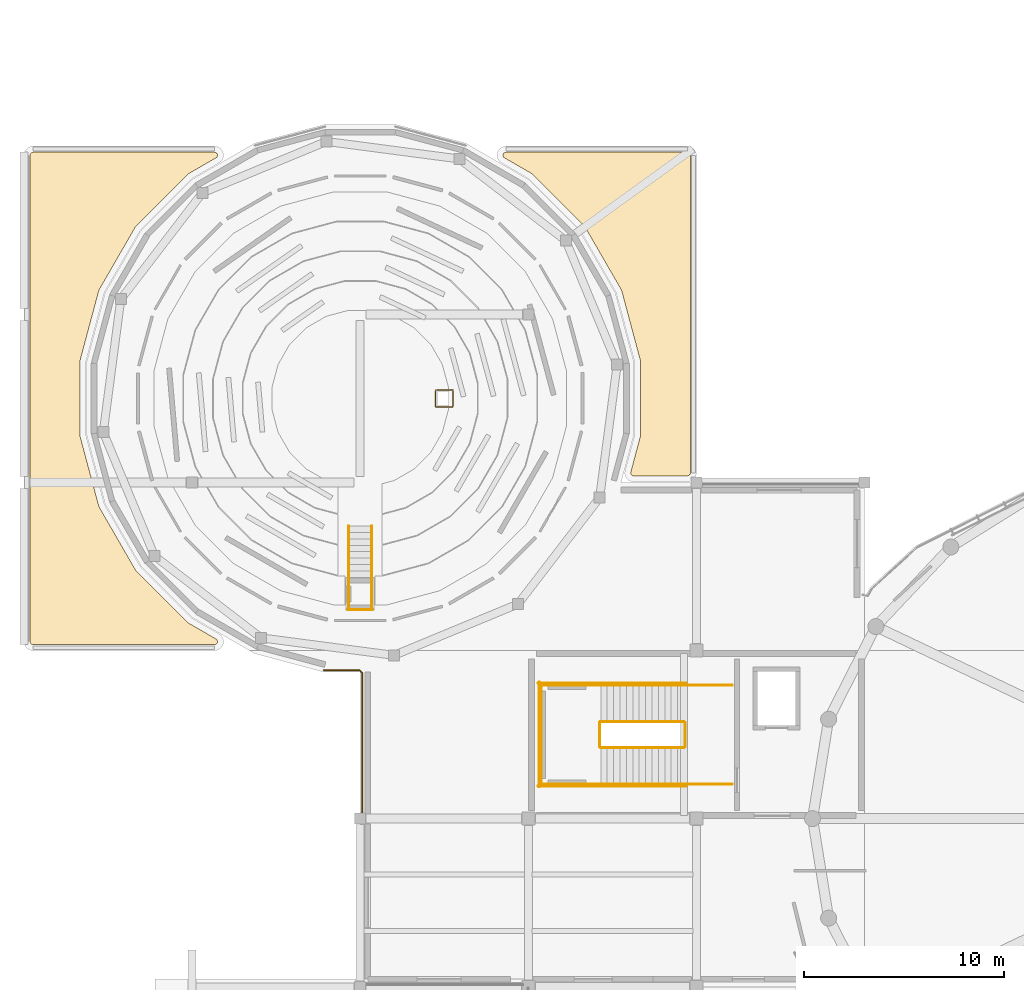
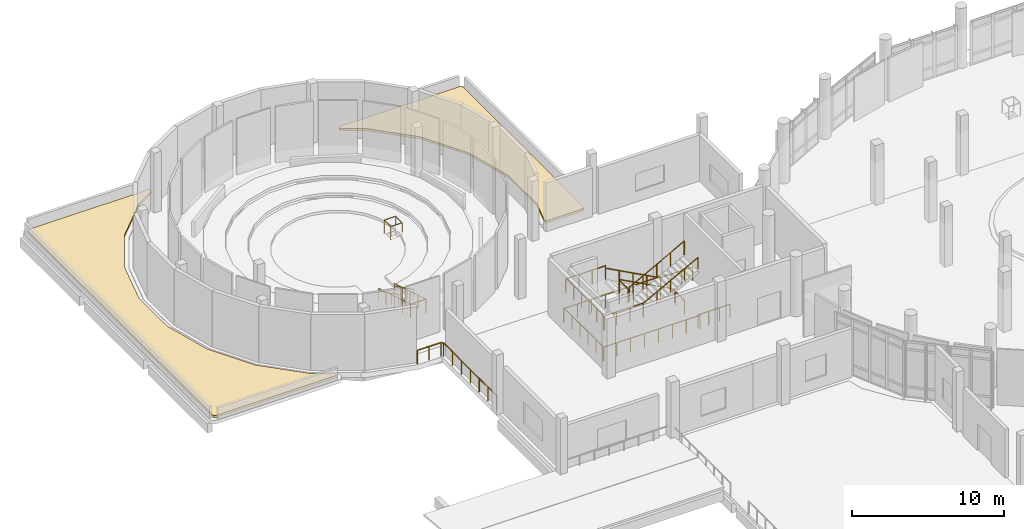
# One storey, part 55 of 63: 21 railings, 2 coverings.
"""IFC4 building model written with IfcOpenShell, lengths in metres."""

from ifc_helpers import new_model, si_unit, derived_unit, direction, frame, origin, origin_2d, place, context, subcontext, project, spatial, polyline, circle, outline, extrude, material, layer, layer_set, type_object, element, save


model = new_model("IFC4")

# Units and contexts
model_context = context("Model", 3, precision=1e-05, world=origin(), true_north=direction((0.0, 1.0)))
body_context = subcontext(model_context, "Body", "Model", "MODEL_VIEW")
ifc_project = project(units=[si_unit("LENGTHUNIT", "METRE"), si_unit("AREAUNIT", "SQUARE_METRE"), si_unit("VOLUMEUNIT", "CUBIC_METRE"), si_unit("PLANEANGLEUNIT", "RADIAN"), si_unit("MASSUNIT", "GRAM", prefix="KILO"), derived_unit("THERMALTRANSMITTANCEUNIT", [(si_unit("POWERUNIT", "WATT"), 1), (si_unit("LENGTHUNIT", "METRE"), -2), (si_unit("THERMODYNAMICTEMPERATUREUNIT", "KELVIN"), -1)])], contexts=[model_context])

# Site, building, storey
site_placement = place(None, origin())
site = spatial("IfcSite", under=ifc_project, at=site_placement, CompositionType="ELEMENT")
building_placement = place(site_placement, origin())
building = spatial("IfcBuilding", under=site, at=building_placement, Name="Elbkamm Science Centre", CompositionType="ELEMENT")
storey_placement = place(building_placement, frame((0.0, 0.0, 5.10009765625)))
storey = spatial("IfcBuildingStorey", under=building, at=storey_placement, Name="L01", CompositionType="ELEMENT", Elevation=5.10009765625)

# Coverings
ifc_material_1 = material(Name="EPDM waterproof roofing membrane and mineral wool insulation")
ifc_layer = layer(ifc_material_1, 0.179931640625)
ifc_layer_set = layer_set([ifc_layer], Name="EPDM waterproof roofing membrane and mineral wool insulation")
covering_type = type_object("IfcCoveringType", Name="COV-ROOFING-180", PredefinedType="ROOFING", material=ifc_layer_set)
covering_1_placement = place(storey_placement, origin())
element("IfcCovering", 1, at=covering_1_placement, inside=storey, type_object=covering_type, Name="L01 Insulated Roof Membrane Covering 03", PredefinedType="ROOFING", context=body_context, shape_type="SweptSolid", body=[
    extrude(outline(polyline([(33.296875, 84.45068359375), (33.293212890625, 84.43701171875), (33.2880859375, 84.422607421875), (33.281982421875, 84.4091796875), (33.2744140625, 84.396728515625), (33.265869140625, 84.385009765625), (33.255859375, 84.374267578125), (33.244873046875, 84.3642578125), (33.233154296875, 84.355712890625), (33.220703125, 84.34814453125), (33.20751953125, 84.341796875), (33.193115234375, 84.336669921875), (33.17919921875, 84.333251953125), (33.164794921875, 84.3310546875), (33.142578125, 84.330078125), (30.471923828125, 84.330078125), (30.4501953125, 84.3310546875), (30.435791015625, 84.3330078125), (30.42236328125, 84.33642578125), (30.408447265625, 84.34130859375), (30.395263671875, 84.347412109375), (30.3828125, 84.354736328125), (30.370849609375, 84.36328125), (30.360595703125, 84.37255859375), (30.3505859375, 84.38330078125), (30.341796875, 84.394775390625), (30.333984375, 84.406982421875), (30.32763671875, 84.419921875), (30.322509765625, 84.433349609375), (30.318603515625, 84.447265625), (30.316162109375, 84.46142578125), (30.315185546875, 84.475830078125), (30.3154296875, 84.490478515625), (30.317138671875, 84.5048828125), (30.321533203125, 84.52587890625), (30.526611328125, 85.289794921875), (30.799072265625, 86.307373046875), (30.800048828125, 86.310791015625), (30.805419921875, 86.334228515625), (30.805908203125, 86.3369140625), (30.807861328125, 86.347900390625), (30.808349609375, 86.3505859375), (30.8115234375, 86.384521484375), (30.811767578125, 86.38720703125), (30.81201171875, 86.398681640625), (30.81201171875, 90.001220703125), (30.811767578125, 90.0126953125), (30.8115234375, 90.015380859375), (30.808349609375, 90.049560546875), (30.807861328125, 90.052001953125), (30.805908203125, 90.063232421875), (30.805419921875, 90.06591796875), (30.801025390625, 90.085693359375), (30.799560546875, 90.091064453125), (30.79931640625, 90.092041015625), (29.8701171875, 93.55908203125), (29.869384765625, 93.5615234375), (29.8642578125, 93.580078125), (29.86328125, 93.582763671875), (29.8544921875, 93.606689453125), (29.853515625, 93.609130859375), (29.8427734375, 93.632568359375), (29.841552734375, 93.634765625), (29.834716796875, 93.647216796875), (29.832275390625, 93.6513671875), (28.969482421875, 95.145751953125), (28.03759765625, 96.759765625), (28.036376953125, 96.76220703125), (28.02734375, 96.777099609375), (28.02587890625, 96.779296875), (28.011474609375, 96.7998046875), (28.010009765625, 96.802001953125), (27.989013671875, 96.826416015625), (27.9873046875, 96.828369140625), (27.981689453125, 96.834228515625), (27.977783203125, 96.838134765625), (25.437744140625, 99.378173828125), (25.43408203125, 99.381591796875), (25.428466796875, 99.38720703125), (25.426513671875, 99.38916015625), (25.402099609375, 99.409912109375), (25.39990234375, 99.41162109375), (25.379150390625, 99.426025390625), (25.376953125, 99.427490234375), (25.363037109375, 99.435791015625), (25.359619140625, 99.4375), (24.490478515625, 99.939453125), (24.0107421875, 100.21630859375), (23.992431640625, 100.228271484375), (23.98095703125, 100.2373046875), (23.970703125, 100.247314453125), (23.961181640625, 100.25830078125), (23.95263671875, 100.270263671875), (23.94580078125, 100.282958984375), (23.939697265625, 100.296142578125), (23.935302734375, 100.3095703125), (23.93212890625, 100.323974609375), (23.93017578125, 100.338623046875), (23.9296875, 100.352783203125), (23.930908203125, 100.367431640625), (23.93310546875, 100.3818359375), (23.93701171875, 100.3955078125), (23.94189453125, 100.4091796875), (23.948486328125, 100.42236328125), (23.9560546875, 100.434814453125), (23.96484375, 100.4462890625), (23.974609375, 100.456787109375), (23.9853515625, 100.46630859375), (23.9970703125, 100.474853515625), (24.009765625, 100.482421875), (24.02294921875, 100.488525390625), (24.03662109375, 100.493408203125), (24.050537109375, 100.496826171875), (24.064697265625, 100.498779296875), (24.086669921875, 100.5), (33.142578125, 100.5), (33.164794921875, 100.498779296875), (33.17919921875, 100.496826171875), (33.193115234375, 100.493408203125), (33.20751953125, 100.488037109375), (33.220703125, 100.48193359375), (33.233154296875, 100.474365234375), (33.244873046875, 100.4658203125), (33.255859375, 100.455810546875), (33.265869140625, 100.44482421875), (33.2744140625, 100.43310546875), (33.281982421875, 100.420654296875), (33.2880859375, 100.407470703125), (33.293212890625, 100.39306640625), (33.296875, 100.379150390625), (33.298828125, 100.36474609375), (33.300048828125, 100.342529296875), (33.300048828125, 84.487548828125), (33.298828125, 84.465087890625), (33.296875, 84.45068359375)])), origin(), (0.0, 0.0, 1.0), 0.179931640625),
])
covering_2_placement = place(storey_placement, origin())
element("IfcCovering", 2, at=covering_2_placement, inside=storey, type_object=covering_type, Name="L01 Insulated Roof Membrane Covering 04", PredefinedType="ROOFING", context=body_context, shape_type="SweptSolid", body=[
    extrude(outline(polyline([(0.30322265625, 100.379150390625), (0.306640625, 100.39306640625), (0.31201171875, 100.407470703125), (0.318115234375, 100.420654296875), (0.32568359375, 100.43310546875), (0.334228515625, 100.44482421875), (0.34423828125, 100.455810546875), (0.35498046875, 100.4658203125), (0.36669921875, 100.474365234375), (0.37939453125, 100.48193359375), (0.392578125, 100.488037109375), (0.406982421875, 100.493408203125), (0.4208984375, 100.496826171875), (0.435302734375, 100.498779296875), (0.45751953125, 100.5), (9.513427734375, 100.5), (9.53515625, 100.498779296875), (9.54931640625, 100.496826171875), (9.5634765625, 100.493408203125), (9.5771484375, 100.488525390625), (9.590087890625, 100.482421875), (9.60302734375, 100.474853515625), (9.61474609375, 100.46630859375), (9.62548828125, 100.456787109375), (9.635009765625, 100.4462890625), (9.64404296875, 100.434814453125), (9.651611328125, 100.42236328125), (9.657958984375, 100.4091796875), (9.6630859375, 100.3955078125), (9.666748046875, 100.3818359375), (9.669189453125, 100.367431640625), (9.670166015625, 100.352783203125), (9.669921875, 100.338623046875), (9.66796875, 100.323974609375), (9.664794921875, 100.3095703125), (9.66015625, 100.296142578125), (9.654296875, 100.282958984375), (9.647216796875, 100.270263671875), (9.638916015625, 100.25830078125), (9.62939453125, 100.247314453125), (9.618896484375, 100.2373046875), (9.607666015625, 100.228271484375), (9.589111328125, 100.21630859375), (8.240234375, 99.4375), (8.23779296875, 99.436279296875), (8.222900390625, 99.427490234375), (8.220703125, 99.426025390625), (8.2001953125, 99.41162109375), (8.197998046875, 99.409912109375), (8.173583984375, 99.38916015625), (8.171630859375, 99.38720703125), (8.165771484375, 99.381591796875), (8.161865234375, 99.377685546875), (6.470458984375, 97.686279296875), (5.621826171875, 96.837646484375), (5.618408203125, 96.834228515625), (5.61279296875, 96.828369140625), (5.61083984375, 96.826416015625), (5.590087890625, 96.802001953125), (5.58837890625, 96.7998046875), (5.573974609375, 96.779296875), (5.572509765625, 96.777099609375), (5.564208984375, 96.762939453125), (5.5625, 96.759521484375), (4.804443359375, 95.447021484375), (3.767333984375, 93.650634765625), (3.76513671875, 93.646728515625), (3.758544921875, 93.634765625), (3.75732421875, 93.632568359375), (3.746337890625, 93.609130859375), (3.745361328125, 93.606689453125), (3.736572265625, 93.582763671875), (3.73583984375, 93.580078125), (3.7314453125, 93.5654296875), (3.730224609375, 93.560546875), (3.505615234375, 92.72314453125), (2.80078125, 90.092529296875), (2.800048828125, 90.089111328125), (2.79443359375, 90.06591796875), (2.7939453125, 90.063232421875), (2.7919921875, 90.052001953125), (2.791748046875, 90.049560546875), (2.788330078125, 90.015380859375), (2.788330078125, 90.0126953125), (2.7880859375, 90.001220703125), (2.7880859375, 86.398681640625), (2.788330078125, 86.38720703125), (2.788330078125, 86.384521484375), (2.791748046875, 86.3505859375), (2.7919921875, 86.347900390625), (2.7939453125, 86.3369140625), (2.79443359375, 86.334228515625), (2.799072265625, 86.314208984375), (2.80029296875, 86.30908203125), (2.80078125, 86.307861328125), (3.412353515625, 84.025634765625), (3.72998046875, 82.8408203125), (3.73046875, 82.83837890625), (3.73583984375, 82.81982421875), (3.736572265625, 82.8173828125), (3.745361328125, 82.793212890625), (3.746337890625, 82.791015625), (3.75732421875, 82.767578125), (3.758544921875, 82.76513671875), (3.765380859375, 82.752685546875), (3.767822265625, 82.74853515625), (5.5625, 79.640380859375), (5.563720703125, 79.637939453125), (5.572509765625, 79.623046875), (5.573974609375, 79.620849609375), (5.58837890625, 79.60009765625), (5.590087890625, 79.597900390625), (5.61083984375, 79.573486328125), (5.61279296875, 79.571533203125), (5.618408203125, 79.56591796875), (5.622314453125, 79.56201171875), (6.89208984375, 78.2919921875), (8.162353515625, 77.02197265625), (8.165771484375, 77.018310546875), (8.171630859375, 77.0126953125), (8.173583984375, 77.010986328125), (8.197998046875, 76.989990234375), (8.2001953125, 76.988525390625), (8.220703125, 76.97412109375), (8.222900390625, 76.97265625), (8.237060546875, 76.964111328125), (8.240478515625, 76.96240234375), (9.589111328125, 76.18359375), (9.607666015625, 76.171630859375), (9.618896484375, 76.16259765625), (9.62939453125, 76.152587890625), (9.638916015625, 76.1416015625), (9.647216796875, 76.129638671875), (9.654296875, 76.1171875), (9.66015625, 76.10400390625), (9.664794921875, 76.09033203125), (9.66796875, 76.076171875), (9.669921875, 76.061279296875), (9.670166015625, 76.047119140625), (9.669189453125, 76.03271484375), (9.666748046875, 76.01806640625), (9.6630859375, 76.00439453125), (9.657958984375, 75.99072265625), (9.651611328125, 75.977783203125), (9.64404296875, 75.96533203125), (9.635009765625, 75.95361328125), (9.62548828125, 75.943115234375), (9.61474609375, 75.93359375), (9.60302734375, 75.925048828125), (9.590087890625, 75.91748046875), (9.5771484375, 75.911376953125), (9.5634765625, 75.906494140625), (9.54931640625, 75.903076171875), (9.53515625, 75.901123046875), (9.513427734375, 75.89990234375), (0.45751953125, 75.89990234375), (0.435302734375, 75.901123046875), (0.4208984375, 75.9033203125), (0.406982421875, 75.90673828125), (0.392578125, 75.911865234375), (0.37939453125, 75.918212890625), (0.36669921875, 75.925537109375), (0.35498046875, 75.93408203125), (0.34423828125, 75.944091796875), (0.334228515625, 75.955078125), (0.32568359375, 75.966796875), (0.318115234375, 75.979248046875), (0.31201171875, 75.99267578125), (0.306640625, 76.0068359375), (0.30322265625, 76.020751953125), (0.301025390625, 76.03515625), (0.300048828125, 76.0576171875), (0.300048828125, 100.342529296875), (0.301025390625, 100.36474609375), (0.30322265625, 100.379150390625)])), origin(), (0.0, 0.0, 1.0), 0.179931640625),
])

# Railings
ifc_material_2 = material(Name="Stainless steel EN 1.4401", Category="steel")
railing_type_1 = type_object("IfcRailingType", Name="RAIL-EXT-GUARD-1100", PredefinedType="GUARDRAIL", material=ifc_material_2)
railing_1_placement = place(storey_placement, frame((16.89990234375, 67.47998046875, 0.0)))
element("IfcRailing", 3, at=railing_1_placement, inside=storey, type_object=railing_type_1, Name="L01 Slab Edge Perimeter Guard 012", PredefinedType="GUARDRAIL", context=body_context, shape_type="SweptSolid", body=[
    extrude(circle(Radius=0.02392578125, at=origin_2d()), frame((0.0, 0.0, 1.078125), z_axis=(0.0, 1.0, 0.0), x_axis=(-1.0, 0.0, 0.0)), (0.0, 0.0, 1.0), 6.979736328125),
    extrude(circle(Radius=0.02392578125, at=origin_2d()), frame((-0.022216796875, 7.030029296875, 1.078125), z_axis=(-0.736673657027, 0.676248418144, 0.0), x_axis=(-0.676248418144, -0.736673657027, 0.0)), (0.0, 0.0, 1.0), 0.1298828125),
    extrude(circle(Radius=0.02392578125, at=origin_2d()), frame((-0.169921875, 7.138427734375, 1.078125), z_axis=(-0.999985752765, 0.005338002239, 0.0), x_axis=(-0.005338002239, -0.999985752765, 0.0)), (0.0, 0.0, 1.0), 1.753662109375),
    extrude(circle(Radius=0.02001953125, at=origin_2d()), origin(), (0.0, 0.0, 1.0), 1.048095703125),
    extrude(circle(Radius=0.02001953125, at=origin_2d()), frame((0.0, 1.168212890625, 0.0)), (0.0, 0.0, 1.0), 1.048095703125),
    extrude(circle(Radius=0.02001953125, at=origin_2d()), frame((0.0, 2.336669921875, 0.0)), (0.0, 0.0, 1.0), 1.048095703125),
    extrude(circle(Radius=0.02001953125, at=origin_2d()), frame((0.0, 3.5048828125, 0.0)), (0.0, 0.0, 1.0), 1.048095703125),
    extrude(circle(Radius=0.02001953125, at=origin_2d()), frame((0.0, 4.673095703125, 0.0)), (0.0, 0.0, 1.0), 1.048095703125),
    extrude(circle(Radius=0.02001953125, at=origin_2d()), frame((0.0, 5.841552734375, 0.0)), (0.0, 0.0, 1.0), 1.048095703125),
    extrude(circle(Radius=0.02001953125, at=origin_2d()), frame((0.0, 7.009765625, 0.0)), (0.0, 0.0, 1.0), 1.048095703125),
    extrude(circle(Radius=0.02001953125, at=origin_2d()), frame((-0.139892578125, 7.13818359375, 0.0)), (0.0, 0.0, 1.0), 1.048095703125),
    extrude(circle(Radius=0.02001953125, at=origin_2d()), frame((-1.03173828125, 7.14306640625, 0.0)), (0.0, 0.0, 1.0), 1.048095703125),
    extrude(circle(Radius=0.02001953125, at=origin_2d()), frame((-1.923583984375, 7.147705078125, 0.0)), (0.0, 0.0, 1.0), 1.048095703125),
])
railing_type_2 = type_object("IfcRailingType", Name="RAIL-GUARD-1100", PredefinedType="GUARDRAIL", material=ifc_material_2)
railing_2_placement = place(storey_placement, frame((32.97998046875, 72.050048828125, 0.17138671875)))
element("IfcRailing", 4, at=railing_2_placement, inside=storey, type_object=railing_type_2, Name="L01 ST-C1 stair guard 1", PredefinedType="GUARDRAIL", context=body_context, shape_type="SweptSolid", body=[
    extrude(circle(Radius=0.02392578125, at=origin_2d()), frame((0.0, 0.0, 1.078125), z_axis=(-0.881480739103, 0.0, 0.472219976908), x_axis=(0.0, -1.0, 0.0)), (0.0, 0.0, 1.0), 4.71923828125),
    extrude(circle(Radius=0.02001953125, at=origin_2d()), origin(), (0.0, 0.0, 1.0), 1.048095703125),
    extrude(circle(Radius=0.02001953125, at=origin_2d()), frame((-1.0400390625, 0.0, 0.55712890625)), (0.0, 0.0, 1.0), 1.048095703125),
    extrude(circle(Radius=0.02001953125, at=origin_2d()), frame((-2.080078125, 0.0, 1.1142578125)), (0.0, 0.0, 1.0), 1.048095703125),
    extrude(circle(Radius=0.02001953125, at=origin_2d()), frame((-3.119873046875, 0.0, 1.67138671875)), (0.0, 0.0, 1.0), 1.048095703125),
    extrude(circle(Radius=0.02001953125, at=origin_2d()), frame((-4.159912109375, 0.0, 2.228515625)), (0.0, 0.0, 1.0), 1.048095703125),
])
railing_3_placement = place(storey_placement, frame((28.77001953125, 72.0, 2.39990234375)))
element("IfcRailing", 5, at=railing_3_placement, inside=storey, type_object=railing_type_2, Name="L01 ST-C1 stair guard 2", PredefinedType="GUARDRAIL", context=body_context, shape_type="SweptSolid", body=[
    extrude(circle(Radius=0.02392578125, at=origin_2d()), frame((0.0, 0.0, 1.078125), z_axis=(0.0, -1.0, 0.0), x_axis=(1.0, 0.0, 0.0)), (0.0, 0.0, 1.0), 1.199951171875),
    extrude(circle(Radius=0.02001953125, at=origin_2d()), origin(), (0.0, 0.0, 1.0), 1.048095703125),
    extrude(circle(Radius=0.02001953125, at=origin_2d()), frame((0.0, -1.199951171875, 0.0)), (0.0, 0.0, 1.0), 1.048095703125),
])
for number, where, name in (
    (6, (28.820068359375, 73.8701171875, 2.39990234375), "L01 ST-C1 stair guard 3"),
    (7, (28.820068359375, 68.929931640625, 2.39990234375), "L01 ST-C1 stair guard 4"),
):
    element("IfcRailing", number, at=place(storey_placement, frame(where)), inside=storey, type_object=railing_type_2, Name=name, PredefinedType="GUARDRAIL", context=body_context, shape_type="SweptSolid", body=[
        extrude(circle(Radius=0.02392578125, at=origin_2d()), frame((0.0, 0.0, 1.078125), z_axis=(-1.0, 0.0, 0.0), x_axis=(0.0, -1.0, 0.0)), (0.0, 0.0, 1.0), 3.02001953125),
        extrude(circle(Radius=0.02001953125, at=origin_2d()), origin(), (0.0, 0.0, 1.0), 1.048095703125),
        extrude(circle(Radius=0.02001953125, at=origin_2d()), frame((-1.006591796875, 0.0, 0.0)), (0.0, 0.0, 1.0), 1.048095703125),
        extrude(circle(Radius=0.02001953125, at=origin_2d()), frame((-2.013427734375, 0.0, 0.0)), (0.0, 0.0, 1.0), 1.048095703125),
        extrude(circle(Radius=0.02001953125, at=origin_2d()), frame((-3.02001953125, 0.0, 0.0)), (0.0, 0.0, 1.0), 1.048095703125),
    ])
railing_4_placement = place(storey_placement, frame((25.85009765625, 73.919921875, 2.39990234375)))
element("IfcRailing", 8, at=railing_4_placement, inside=storey, type_object=railing_type_2, Name="L01 ST-C1 stair guard 5", PredefinedType="GUARDRAIL", context=body_context, shape_type="SweptSolid", body=[
    extrude(circle(Radius=0.02392578125, at=origin_2d()), frame((0.0, 0.0, 1.078125), z_axis=(0.0, -1.0, 0.0), x_axis=(1.0, 0.0, 0.0)), (0.0, 0.0, 1.0), 5.0400390625),
    extrude(circle(Radius=0.02001953125, at=origin_2d()), origin(), (0.0, 0.0, 1.0), 1.048095703125),
    extrude(circle(Radius=0.02001953125, at=origin_2d()), frame((0.0, -1.008056640625, 0.0)), (0.0, 0.0, 1.0), 1.048095703125),
    extrude(circle(Radius=0.02001953125, at=origin_2d()), frame((0.0, -2.01611328125, 0.0)), (0.0, 0.0, 1.0), 1.048095703125),
    extrude(circle(Radius=0.02001953125, at=origin_2d()), frame((0.0, -3.02392578125, 0.0)), (0.0, 0.0, 1.0), 1.048095703125),
    extrude(circle(Radius=0.02001953125, at=origin_2d()), frame((0.0, -4.031982421875, 0.0)), (0.0, 0.0, 1.0), 1.048095703125),
    extrude(circle(Radius=0.02001953125, at=origin_2d()), frame((0.0, -5.0400390625, 0.0)), (0.0, 0.0, 1.0), 1.048095703125),
])
railing_5_placement = place(storey_placement, frame((28.820068359375, 70.75, 2.5712890625)))
element("IfcRailing", 9, at=railing_5_placement, inside=storey, type_object=railing_type_2, Name="L01 ST-C1 stair guard 6", PredefinedType="GUARDRAIL", context=body_context, shape_type="SweptSolid", body=[
    extrude(circle(Radius=0.02392578125, at=origin_2d()), frame((0.0, 0.0, 1.078125), z_axis=(0.881480739103, 0.0, 0.472219976908), x_axis=(0.0, 1.0, 0.0)), (0.0, 0.0, 1.0), 4.71923828125),
    extrude(circle(Radius=0.02001953125, at=origin_2d()), origin(), (0.0, 0.0, 1.0), 1.048095703125),
    extrude(circle(Radius=0.02001953125, at=origin_2d()), frame((1.0400390625, 0.0, 0.55712890625)), (0.0, 0.0, 1.0), 1.048095703125),
    extrude(circle(Radius=0.02001953125, at=origin_2d()), frame((2.080078125, 0.0, 1.1142578125)), (0.0, 0.0, 1.0), 1.048095703125),
    extrude(circle(Radius=0.02001953125, at=origin_2d()), frame((3.119873046875, 0.0, 1.67138671875)), (0.0, 0.0, 1.0), 1.048095703125),
    extrude(circle(Radius=0.02001953125, at=origin_2d()), frame((4.159912109375, 0.0, 2.228515625)), (0.0, 0.0, 1.0), 1.048095703125),
])
railing_6_placement = place(storey_placement, frame((33.030029296875, 72.0, 0.0)))
element("IfcRailing", 10, at=railing_6_placement, inside=storey, type_object=railing_type_2, Name="L01 ST-C1 stair guard 7", PredefinedType="GUARDRAIL", context=body_context, shape_type="SweptSolid", body=[
    extrude(circle(Radius=0.02392578125, at=origin_2d()), frame((0.0, 0.0, 1.078125), z_axis=(0.0, -1.0, 0.0), x_axis=(1.0, 0.0, 0.0)), (0.0, 0.0, 1.0), 1.199951171875),
    extrude(circle(Radius=0.02001953125, at=origin_2d()), origin(), (0.0, 0.0, 1.0), 1.048095703125),
    extrude(circle(Radius=0.02001953125, at=origin_2d()), frame((0.0, -1.199951171875, 0.0)), (0.0, 0.0, 1.0), 1.048095703125),
])
for number, where, name in (
    (11, (35.39990234375, 73.8701171875, 0.0), "L01 ST-C1 stair guard 8"),
    (12, (35.39990234375, 68.929931640625, 0.0), "L01 ST-C1 stair guard 9"),
):
    element("IfcRailing", number, at=place(storey_placement, frame(where)), inside=storey, type_object=railing_type_2, Name=name, PredefinedType="GUARDRAIL", context=body_context, shape_type="SweptSolid", body=[
        extrude(circle(Radius=0.02392578125, at=origin_2d()), frame((0.0, 0.0, 1.078125), z_axis=(-1.0, 0.0, 0.0), x_axis=(0.0, -1.0, 0.0)), (0.0, 0.0, 1.0), 2.419921875),
        extrude(circle(Radius=0.02001953125, at=origin_2d()), origin(), (0.0, 0.0, 1.0), 1.048095703125),
        extrude(circle(Radius=0.02001953125, at=origin_2d()), frame((-0.806640625, 0.0, 0.0)), (0.0, 0.0, 1.0), 1.048095703125),
        extrude(circle(Radius=0.02001953125, at=origin_2d()), frame((-1.61328125, 0.0, 0.0)), (0.0, 0.0, 1.0), 1.048095703125),
        extrude(circle(Radius=0.02001953125, at=origin_2d()), frame((-2.419921875, 0.0, 0.0)), (0.0, 0.0, 1.0), 1.048095703125),
    ])
for number, where, name in (
    (13, (33.080078125, 73.969970703125, 0.0), "L01 ST-C1 stair guard 10"),
    (14, (33.080078125, 68.830078125, 0.0), "L01 ST-C1 stair guard 11"),
):
    element("IfcRailing", number, at=place(storey_placement, frame(where)), inside=storey, type_object=railing_type_2, Name=name, PredefinedType="GUARDRAIL", context=body_context, shape_type="SweptSolid", body=[
        extrude(circle(Radius=0.02392578125, at=origin_2d()), frame((0.0, 0.0, 1.078125), z_axis=(-1.0, 0.0, 0.0), x_axis=(0.0, -1.0, 0.0)), (0.0, 0.0, 1.0), 7.380126953125),
        extrude(circle(Radius=0.02001953125, at=origin_2d()), origin(), (0.0, 0.0, 1.0), 1.048095703125),
        extrude(circle(Radius=0.02001953125, at=origin_2d()), frame((-1.05419921875, 0.0, 0.0)), (0.0, 0.0, 1.0), 1.048095703125),
        extrude(circle(Radius=0.02001953125, at=origin_2d()), frame((-2.108642578125, 0.0, 0.0)), (0.0, 0.0, 1.0), 1.048095703125),
        extrude(circle(Radius=0.02001953125, at=origin_2d()), frame((-3.162841796875, 0.0, 0.0)), (0.0, 0.0, 1.0), 1.048095703125),
        extrude(circle(Radius=0.02001953125, at=origin_2d()), frame((-4.21728515625, 0.0, 0.0)), (0.0, 0.0, 1.0), 1.048095703125),
        extrude(circle(Radius=0.02001953125, at=origin_2d()), frame((-5.271484375, 0.0, 0.0)), (0.0, 0.0, 1.0), 1.048095703125),
        extrude(circle(Radius=0.02001953125, at=origin_2d()), frame((-6.325927734375, 0.0, 0.0)), (0.0, 0.0, 1.0), 1.048095703125),
        extrude(circle(Radius=0.02001953125, at=origin_2d()), frame((-7.380126953125, 0.0, 0.0)), (0.0, 0.0, 1.0), 1.048095703125),
    ])
railing_7_placement = place(storey_placement, frame((25.75, 74.02001953125, 0.0)))
element("IfcRailing", 15, at=railing_7_placement, inside=storey, type_object=railing_type_2, Name="L01 ST-C1 stair guard 12", PredefinedType="GUARDRAIL", context=body_context, shape_type="SweptSolid", body=[
    extrude(circle(Radius=0.02392578125, at=origin_2d()), frame((0.0, 0.0, 1.078125), z_axis=(0.0, -1.0, 0.0), x_axis=(1.0, 0.0, 0.0)), (0.0, 0.0, 1.0), 5.239990234375),
    extrude(circle(Radius=0.02001953125, at=origin_2d()), origin(), (0.0, 0.0, 1.0), 1.048095703125),
    extrude(circle(Radius=0.02001953125, at=origin_2d()), frame((0.0, -1.048095703125, 0.0)), (0.0, 0.0, 1.0), 1.048095703125),
    extrude(circle(Radius=0.02001953125, at=origin_2d()), frame((0.0, -2.095947265625, 0.0)), (0.0, 0.0, 1.0), 1.048095703125),
    extrude(circle(Radius=0.02001953125, at=origin_2d()), frame((0.0, -3.14404296875, 0.0)), (0.0, 0.0, 1.0), 1.048095703125),
    extrude(circle(Radius=0.02001953125, at=origin_2d()), frame((0.0, -4.19189453125, 0.0)), (0.0, 0.0, 1.0), 1.048095703125),
    extrude(circle(Radius=0.02001953125, at=origin_2d()), frame((0.0, -5.239990234375, 0.0)), (0.0, 0.0, 1.0), 1.048095703125),
])
for number, where, name in (
    (16, (16.219970703125, 81.820068359375, 0.159912109375), "Planetarium Aisle Stair Guard L"),
    (17, (17.3798828125, 81.820068359375, 0.159912109375), "Planetarium Aisle Stair Guard R"),
):
    element("IfcRailing", number, at=place(storey_placement, frame(where)), inside=storey, type_object=railing_type_2, Name=name, PredefinedType="GUARDRAIL", context=body_context, shape_type="SweptSolid", body=[
        extrude(circle(Radius=0.02392578125, at=origin_2d()), frame((0.0, 0.0, 1.078125), z_axis=(0.0, -0.955978455767, 0.29343686222), x_axis=(1.0, 0.0, 0.0)), (0.0, 0.0, 1.0), 4.3623046875),
        extrude(circle(Radius=0.02001953125, at=origin_2d()), origin(), (0.0, 0.0, 1.0), 1.048095703125),
        extrude(circle(Radius=0.02001953125, at=origin_2d()), frame((0.0, -1.04248046875, 0.320068359375)), (0.0, 0.0, 1.0), 1.048095703125),
        extrude(circle(Radius=0.02001953125, at=origin_2d()), frame((0.0, -2.0849609375, 0.64013671875)), (0.0, 0.0, 1.0), 1.048095703125),
        extrude(circle(Radius=0.02001953125, at=origin_2d()), frame((0.0, -3.127685546875, 0.9599609375)), (0.0, 0.0, 1.0), 1.048095703125),
        extrude(circle(Radius=0.02001953125, at=origin_2d()), frame((0.0, -4.170166015625, 1.280029296875)), (0.0, 0.0, 1.0), 1.048095703125),
    ])
railing_8_placement = place(storey_placement, frame((16.199951171875, 77.64990234375, 1.43994140625)))
element("IfcRailing", 18, at=railing_8_placement, inside=storey, type_object=railing_type_2, Name="Planetarium Aisle Stair Top Guard", PredefinedType="GUARDRAIL", context=body_context, shape_type="SweptSolid", body=[
    extrude(circle(Radius=0.02392578125, at=origin_2d()), frame((0.0, 0.0, 1.078125), z_axis=(1.0, 0.0, 0.0), x_axis=(0.0, 1.0, 0.0)), (0.0, 0.0, 1.0), 1.199951171875),
    extrude(circle(Radius=0.02001953125, at=origin_2d()), origin(), (0.0, 0.0, 1.0), 1.048095703125),
    extrude(circle(Radius=0.02001953125, at=origin_2d()), frame((1.199951171875, 0.0, 0.0)), (0.0, 0.0, 1.0), 1.048095703125),
])
railing_9_placement = place(storey_placement, frame((20.570068359375, 87.77001953125, 0.0)))
element("IfcRailing", 19, at=railing_9_placement, inside=storey, type_object=railing_type_2, Name="L01 Service Riser Opening Guardrail 009", PredefinedType="GUARDRAIL", context=body_context, shape_type="SweptSolid", body=[
    extrude(circle(Radius=0.02392578125, at=origin_2d()), frame((0.0, 0.0, 1.078125), z_axis=(1.0, 0.0, 0.0), x_axis=(0.0, 1.0, 0.0)), (0.0, 0.0, 1.0), 0.829833984375),
    extrude(circle(Radius=0.02392578125, at=origin_2d()), frame((0.85986328125, 0.030029296875, 1.078125), z_axis=(0.0, 1.0, 0.0), x_axis=(-1.0, 0.0, 0.0)), (0.0, 0.0, 1.0), 0.7998046875),
    extrude(circle(Radius=0.02392578125, at=origin_2d()), frame((0.829833984375, 0.85986328125, 1.078125), z_axis=(-1.0, 0.0, 0.0), x_axis=(0.0, -1.0, 0.0)), (0.0, 0.0, 1.0), 0.7998046875),
    extrude(circle(Radius=0.02392578125, at=origin_2d()), frame((0.0, 0.829833984375, 1.078125), z_axis=(0.0, -1.0, 0.0), x_axis=(1.0, 0.0, 0.0)), (0.0, 0.0, 1.0), 0.829833984375),
    extrude(circle(Radius=0.02001953125, at=origin_2d()), origin(), (0.0, 0.0, 1.0), 1.048095703125),
    extrude(circle(Radius=0.02001953125, at=origin_2d()), frame((0.85986328125, 0.0, 0.0)), (0.0, 0.0, 1.0), 1.048095703125),
    extrude(circle(Radius=0.02001953125, at=origin_2d()), frame((0.85986328125, 0.85986328125, 0.0)), (0.0, 0.0, 1.0), 1.048095703125),
    extrude(circle(Radius=0.02001953125, at=origin_2d()), frame((0.0, 0.85986328125, 0.0)), (0.0, 0.0, 1.0), 1.048095703125),
])
railing_type_3 = type_object("IfcRailingType", Name="RAIL-HAND-900", PredefinedType="HANDRAIL", material=ifc_material_2)
railing_10_placement = place(storey_placement, frame((32.97998046875, 73.8701171875, 0.17138671875)))
element("IfcRailing", 20, at=railing_10_placement, inside=storey, type_object=railing_type_3, Name="L01 ST-C1 stair handrail 1", PredefinedType="HANDRAIL", context=body_context, shape_type="SweptSolid", body=[
    extrude(circle(Radius=0.02392578125, at=origin_2d()), frame((0.0, 0.0, 0.8779296875), z_axis=(-0.881480739103, 0.0, 0.472219976908), x_axis=(0.0, -1.0, 0.0)), (0.0, 0.0, 1.0), 4.71923828125),
    extrude(circle(Radius=0.02001953125, at=origin_2d()), origin(), (0.0, 0.0, 1.0), 0.847900390625),
    extrude(circle(Radius=0.02001953125, at=origin_2d()), frame((-1.0400390625, 0.0, 0.55712890625)), (0.0, 0.0, 1.0), 0.847900390625),
    extrude(circle(Radius=0.02001953125, at=origin_2d()), frame((-2.080078125, 0.0, 1.1142578125)), (0.0, 0.0, 1.0), 0.847900390625),
    extrude(circle(Radius=0.02001953125, at=origin_2d()), frame((-3.119873046875, 0.0, 1.67138671875)), (0.0, 0.0, 1.0), 0.847900390625),
    extrude(circle(Radius=0.02001953125, at=origin_2d()), frame((-4.159912109375, 0.0, 2.228515625)), (0.0, 0.0, 1.0), 0.847900390625),
])
railing_11_placement = place(storey_placement, frame((28.820068359375, 68.929931640625, 2.5712890625)))
element("IfcRailing", 21, at=railing_11_placement, inside=storey, type_object=railing_type_3, Name="L01 ST-C1 stair handrail 2", PredefinedType="HANDRAIL", context=body_context, shape_type="SweptSolid", body=[
    extrude(circle(Radius=0.02392578125, at=origin_2d()), frame((0.0, 0.0, 0.8779296875), z_axis=(0.881480739103, 0.0, 0.472219976908), x_axis=(0.0, 1.0, 0.0)), (0.0, 0.0, 1.0), 4.71923828125),
    extrude(circle(Radius=0.02001953125, at=origin_2d()), origin(), (0.0, 0.0, 1.0), 0.847900390625),
    extrude(circle(Radius=0.02001953125, at=origin_2d()), frame((1.0400390625, 0.0, 0.55712890625)), (0.0, 0.0, 1.0), 0.847900390625),
    extrude(circle(Radius=0.02001953125, at=origin_2d()), frame((2.080078125, 0.0, 1.1142578125)), (0.0, 0.0, 1.0), 0.847900390625),
    extrude(circle(Radius=0.02001953125, at=origin_2d()), frame((3.119873046875, 0.0, 1.67138671875)), (0.0, 0.0, 1.0), 0.847900390625),
    extrude(circle(Radius=0.02001953125, at=origin_2d()), frame((4.159912109375, 0.0, 2.228515625)), (0.0, 0.0, 1.0), 0.847900390625),
])
for number, where, name in (
    (22, (16.219970703125, 81.820068359375, 0.159912109375), "Planetarium Aisle Stair Handrail L"),
    (23, (17.3798828125, 81.820068359375, 0.159912109375), "Planetarium Aisle Stair Handrail R"),
):
    element("IfcRailing", number, at=place(storey_placement, frame(where)), inside=storey, type_object=railing_type_3, Name=name, PredefinedType="HANDRAIL", context=body_context, shape_type="SweptSolid", body=[
        extrude(circle(Radius=0.02392578125, at=origin_2d()), frame((0.0, 0.0, 0.8779296875), z_axis=(0.0, -0.894427191, 0.4472135955), x_axis=(1.0, 0.0, 0.0)), (0.0, 0.0, 1.0), 2.8623046875),
        extrude(circle(Radius=0.02001953125, at=origin_2d()), origin(), (0.0, 0.0, 1.0), 0.847900390625),
        extrude(circle(Radius=0.02001953125, at=origin_2d()), frame((0.0, -0.853271484375, 0.4267578125)), (0.0, 0.0, 1.0), 0.847900390625),
        extrude(circle(Radius=0.02001953125, at=origin_2d()), frame((0.0, -1.706787109375, 0.853271484375)), (0.0, 0.0, 1.0), 0.847900390625),
        extrude(circle(Radius=0.02001953125, at=origin_2d()), frame((0.0, -2.56005859375, 1.280029296875)), (0.0, 0.0, 1.0), 0.847900390625),
    ])

save(model, "model.ifc")
